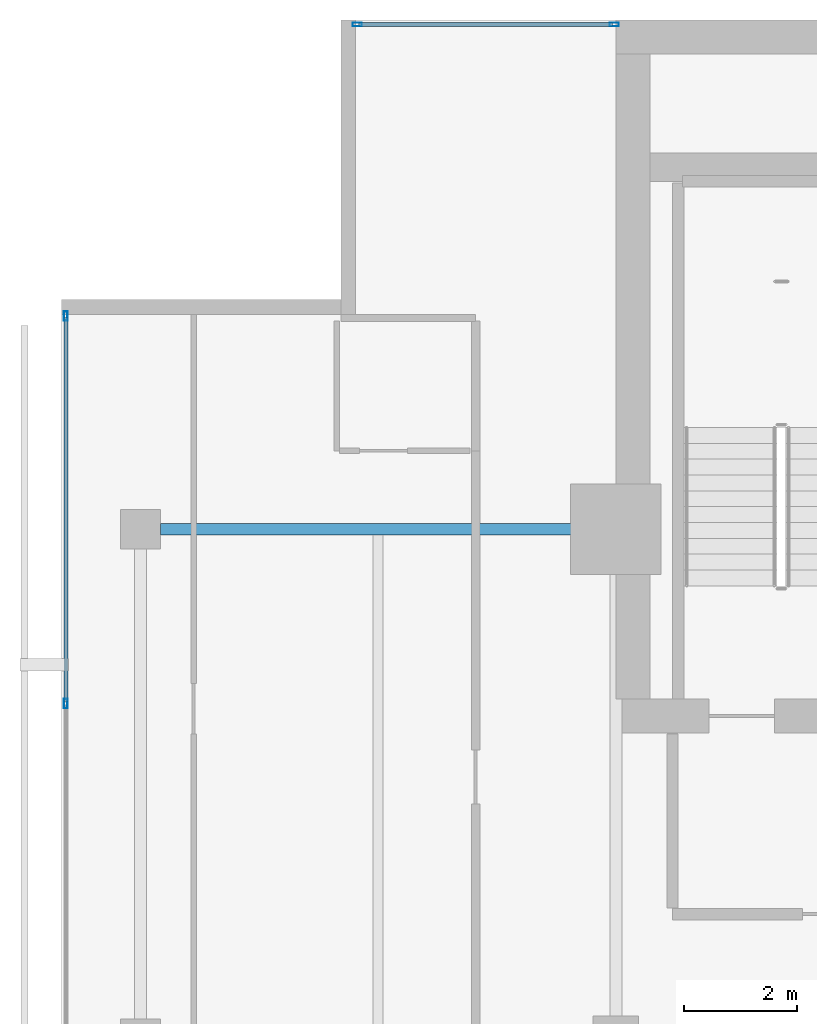
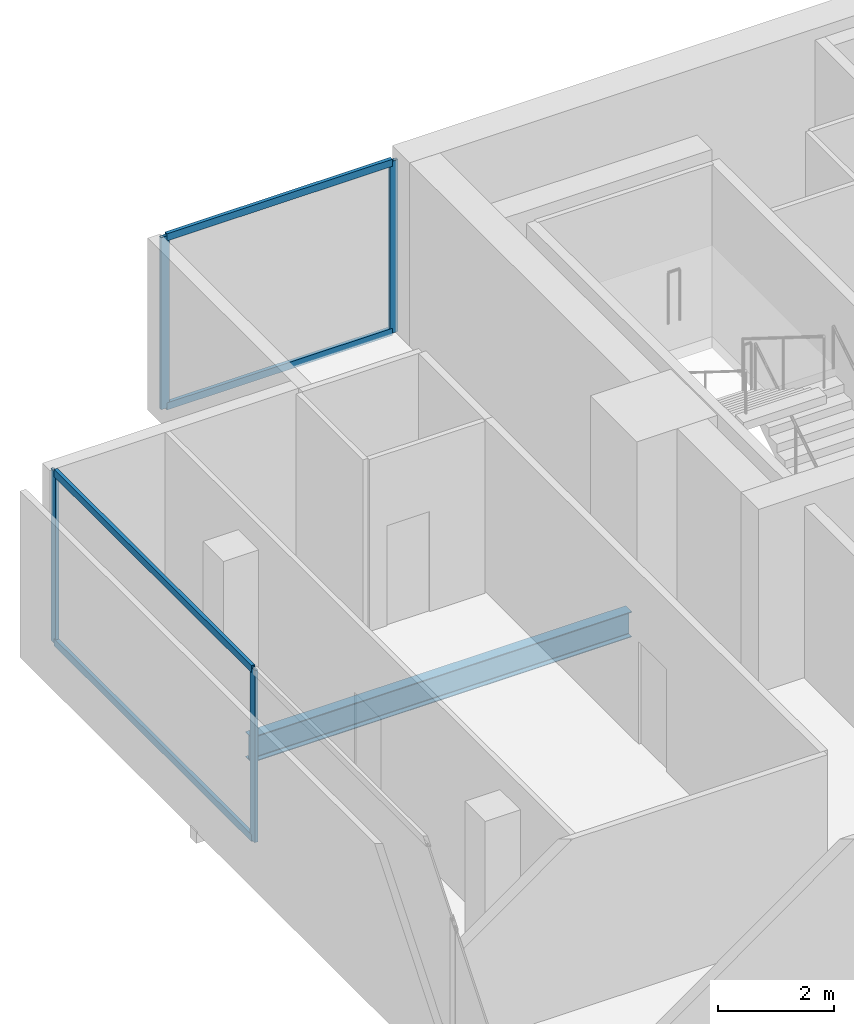
# One storey, part 16 of 25: 8 members, 1 beam, 2 elements without a shape of their own.
"""IFC4 building model written with IfcOpenShell, lengths in metres."""

from ifc_helpers import new_model, si_unit, direction, frame, origin, origin_2d, place, context, subcontext, project, spatial, hollow_rectangle, i_section, extrude, material, layer, layer_set, material_profile, profile_set, type_object, element, aggregate, save


model = new_model("IFC4")

# Units and contexts
model_context = context("Model", 3, precision=1e-05, world=origin(), true_north=direction((0.0, 1.0)))
body_context = subcontext(model_context, "Body", "Model", "MODEL_VIEW")
ifc_project = project(units=[si_unit("LENGTHUNIT", "METRE"), si_unit("AREAUNIT", "SQUARE_METRE"), si_unit("VOLUMEUNIT", "CUBIC_METRE"), si_unit("PLANEANGLEUNIT", "RADIAN"), si_unit("MASSUNIT", "GRAM", prefix="KILO")], contexts=[model_context])

# Site, building, storey
site_placement = place(None, origin())
site = spatial("IfcSite", under=ifc_project, at=site_placement, CompositionType="ELEMENT")
building_placement = place(site_placement, origin())
building = spatial("IfcBuilding", under=site, at=building_placement, Name="Maruvema Waterfront Hotel and Observation Tower", CompositionType="ELEMENT")
storey_placement = place(building_placement, frame((0.0, 0.0, 274.050048828125)))
storey = spatial("IfcBuildingStorey", under=building, at=storey_placement, Name="L67", CompositionType="ELEMENT", Elevation=274.050048828125)

# Curtain wall, members
ifc_material_1 = material(Name="Anodised bronze aluminium and solar-control low-E IGU", Category="aluminium")
ifc_layer = layer(ifc_material_1, 0.159912109375, Name="Zone 3 Champagne Inner Thermal Curtain Wall System CW-04")
ifc_layer_set = layer_set([ifc_layer], Name="Anodised bronze aluminium and solar-control low-E IGU")
curtain_wall_type = type_object("IfcCurtainWallType", Name="Zone 3 Champagne Inner Thermal Curtain Wall System CW-04", PredefinedType="USERDEFINED", material=ifc_layer_set)
curtain_wall_1_placement = place(storey_placement, origin())
curtain_wall_1 = element("IfcCurtainWall", 1, at=curtain_wall_1_placement, inside=storey, type_object=curtain_wall_type, Name="L67 Curtain Wall CW-L67-W", ObjectType="UNITISED CURTAIN WALL", PredefinedType="USERDEFINED")
ifc_material_2 = material(Name="Anodised architectural bronze aluminium", Category="aluminium")
ifc_material_profile_1 = material_profile(ifc_material_2, hollow_rectangle(XDim=0.070068359375, YDim=0.14990234375, WallThickness=0.00390625, at=origin_2d()), Name="ALU-T70x150")
ifc_profile_set_1 = profile_set([ifc_material_profile_1], Name="Anodised architectural bronze aluminium")
member_type_1 = type_object("IfcMemberType", Name="Curtain Wall Horizontal Transom ALU-T70x150", PredefinedType="USERDEFINED", material=ifc_profile_set_1)
member_1_placement = place(storey_placement, frame((15.47998046875, 48.739990234375, 0.030029296875), z_axis=(0.0, -1.0, 0.0), x_axis=(1.0, 0.0, 0.0)))
member_1 = element("IfcMember", 2, at=member_1_placement, type_object=member_type_1, Name="CW-04 transom 1.1", ObjectType="TRANSOM", PredefinedType="USERDEFINED", context=body_context, shape_type="SweptSolid", body=[
    extrude(hollow_rectangle(XDim=0.070068359375, YDim=0.14990234375, WallThickness=0.00390625, at=origin_2d()), origin(), (0.0, 0.0, 1.0), 6.7900390625),
])
member_2_placement = place(storey_placement, frame((15.47998046875, 48.739990234375, 3.579833984375), z_axis=(0.0, -1.0, 0.0), x_axis=(1.0, 0.0, 0.0)))
member_2 = element("IfcMember", 3, at=member_2_placement, type_object=member_type_1, Name="CW-04 transom 1.2", ObjectType="TRANSOM", PredefinedType="USERDEFINED", context=body_context, shape_type="SweptSolid", body=[
    extrude(hollow_rectangle(XDim=0.070068359375, YDim=0.14990234375, WallThickness=0.00390625, at=origin_2d()), origin(), (0.0, 0.0, 1.0), 6.7900390625),
])

curtain_wall_2_placement = place(storey_placement, origin())
curtain_wall_2 = element("IfcCurtainWall", 4, at=curtain_wall_2_placement, inside=storey, type_object=curtain_wall_type, Name="L67 Curtain Wall CW-L67-NW", ObjectType="UNITISED CURTAIN WALL", PredefinedType="USERDEFINED")
member_3_placement = place(storey_placement, frame((25.139892578125, 53.919921875, 0.030029296875), z_axis=(-1.0, 0.0, 0.0), x_axis=(0.0, -1.0, 0.0)))
member_3 = element("IfcMember", 5, at=member_3_placement, type_object=member_type_1, Name="CW-04 transom 1.1", ObjectType="TRANSOM", PredefinedType="USERDEFINED", context=body_context, shape_type="SweptSolid", body=[
    extrude(hollow_rectangle(XDim=0.070068359375, YDim=0.14990234375, WallThickness=0.00390625, at=origin_2d()), origin(), (0.0, 0.0, 1.0), 4.47998046875),
])
member_4_placement = place(storey_placement, frame((25.139892578125, 53.919921875, 3.579833984375), z_axis=(-1.0, 0.0, 0.0), x_axis=(0.0, -1.0, 0.0)))
member_4 = element("IfcMember", 6, at=member_4_placement, type_object=member_type_1, Name="CW-04 transom 1.2", ObjectType="TRANSOM", PredefinedType="USERDEFINED", context=body_context, shape_type="SweptSolid", body=[
    extrude(hollow_rectangle(XDim=0.070068359375, YDim=0.14990234375, WallThickness=0.00390625, at=origin_2d()), origin(), (0.0, 0.0, 1.0), 4.47998046875),
])

# Member
ifc_material_3 = material(Name="Anodised architectural bronze aluminium", Category="aluminium")
ifc_material_profile_2 = material_profile(ifc_material_3, hollow_rectangle(XDim=0.06494140625, YDim=0.1650390625, WallThickness=0.00390625, at=origin_2d()), Name="ALU-M65x165")
ifc_profile_set_2 = profile_set([ifc_material_profile_2], Name="Anodised architectural bronze aluminium")
member_type_2 = type_object("IfcMemberType", Name="Curtain Wall Primary Mullion ALU-M65x165", PredefinedType="MULLION", material=ifc_profile_set_2)
member_5_placement = place(storey_placement, frame((15.47998046875, 48.77001953125, 0.0), z_axis=(0.0, 0.0, 1.0), x_axis=(1.0, 0.0, 0.0)))
member_5 = element("IfcMember", 7, at=member_5_placement, type_object=member_type_2, Name="CW-04 mullion 1", PredefinedType="MULLION", context=body_context, shape_type="SweptSolid", body=[
    extrude(hollow_rectangle(XDim=0.06494140625, YDim=0.1650390625, WallThickness=0.00390625, at=origin_2d()), origin(), (0.0, 0.0, 1.0), 3.60986328125),
])

member_6_placement = place(storey_placement, frame((15.47998046875, 41.919921875, 0.0), z_axis=(0.0, 0.0, 1.0), x_axis=(1.0, 0.0, 0.0)))
member_6 = element("IfcMember", 8, at=member_6_placement, type_object=member_type_2, Name="CW-04 mullion 2", PredefinedType="MULLION", context=body_context, shape_type="SweptSolid", body=[
    extrude(hollow_rectangle(XDim=0.06494140625, YDim=0.1650390625, WallThickness=0.00390625, at=origin_2d()), origin(), (0.0, 0.0, 1.0), 3.60986328125),
])

aggregate(curtain_wall_1, [member_5, member_6, member_1, member_2])

member_7_placement = place(storey_placement, frame((25.169921875, 53.919921875, 0.0), z_axis=(0.0, 0.0, 1.0), x_axis=(0.0, -1.0, 0.0)))
member_7 = element("IfcMember", 9, at=member_7_placement, type_object=member_type_2, Name="CW-04 mullion 1", PredefinedType="MULLION", context=body_context, shape_type="SweptSolid", body=[
    extrude(hollow_rectangle(XDim=0.06494140625, YDim=0.1650390625, WallThickness=0.00390625, at=origin_2d()), origin(), (0.0, 0.0, 1.0), 3.60986328125),
])

member_8_placement = place(storey_placement, frame((20.6298828125, 53.919921875, 0.0), z_axis=(0.0, 0.0, 1.0), x_axis=(0.0, -1.0, 0.0)))
member_8 = element("IfcMember", 10, at=member_8_placement, type_object=member_type_2, Name="CW-04 mullion 2", PredefinedType="MULLION", context=body_context, shape_type="SweptSolid", body=[
    extrude(hollow_rectangle(XDim=0.06494140625, YDim=0.1650390625, WallThickness=0.00390625, at=origin_2d()), origin(), (0.0, 0.0, 1.0), 3.60986328125),
])

aggregate(curtain_wall_2, [member_7, member_8, member_3, member_4])

# Beam
ifc_material_4 = material(Name="Steel ASTM A572 Grade 50", Category="steel")
ifc_material_profile_3 = material_profile(ifc_material_4, i_section(OverallWidth=0.208984375, OverallDepth=0.532958984375, WebThickness=0.01025390625, FlangeThickness=0.015625, FilletRadius=0.014892578125, at=origin_2d()), Name="W530x92.0")
ifc_profile_set_3 = profile_set([ifc_material_profile_3], Name="Steel ASTM A572 Grade 50")
beam_type = type_object("IfcBeamType", Name="Primary Floor Girder W530x92.0", PredefinedType="BEAM", material=ifc_profile_set_3)
beam_placement = place(storey_placement, frame((17.14990234375, 45.0, -0.506591796875), z_axis=(1.0, 0.0, 0.0), x_axis=(0.0, 1.0, 0.0)))
element("IfcBeam", 11, at=beam_placement, inside=storey, type_object=beam_type, Name="L67 Floor Girder EW-17", PredefinedType="BEAM", context=body_context, shape_type="SweptSolid", body=[
    extrude(i_section(OverallWidth=0.208984375, OverallDepth=0.532958984375, WebThickness=0.01025390625, FlangeThickness=0.015625, FilletRadius=0.014892578125, at=origin_2d()), origin(), (0.0, 0.0, 1.0), 7.550048828125),
])

save(model, "model.ifc")
